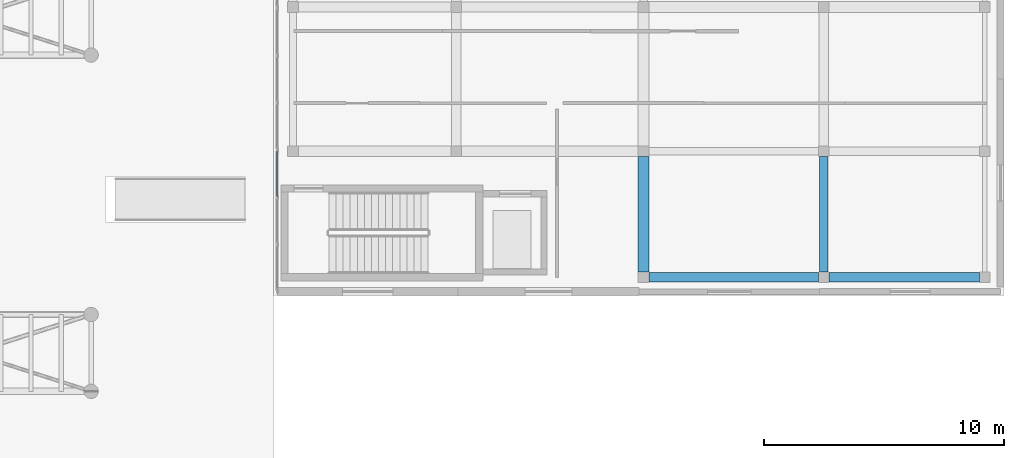
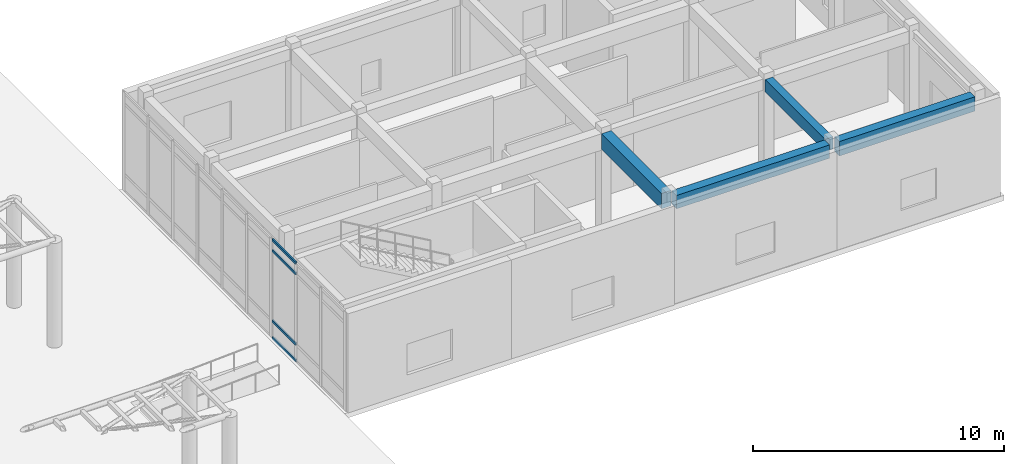
# One storey, part 74 of 121: 4 beams, 4 members, 1 element without a shape of its own.
"""IFC4 building model written with IfcOpenShell, lengths in metres."""

from ifc_helpers import new_model, si_unit, direction, frame, origin, origin_2d, place, context, subcontext, project, spatial, rectangle, hollow_rectangle, extrude, material, layer, layer_set, material_profile, profile_set, type_object, element, aggregate, save


model = new_model("IFC4")

# Units and contexts
model_context = context("Model", 3, precision=1e-05, world=origin(), true_north=direction((0.0, 1.0)))
body_context = subcontext(model_context, "Body", "Model", "MODEL_VIEW")
ifc_project = project(units=[si_unit("LENGTHUNIT", "METRE"), si_unit("AREAUNIT", "SQUARE_METRE"), si_unit("VOLUMEUNIT", "CUBIC_METRE"), si_unit("PLANEANGLEUNIT", "RADIAN"), si_unit("MASSUNIT", "GRAM", prefix="KILO")], contexts=[model_context])

# Site, building, storey
site_placement = place(None, origin())
site = spatial("IfcSite", under=ifc_project, at=site_placement, CompositionType="ELEMENT")
building_placement = place(site_placement, origin())
building = spatial("IfcBuilding", under=site, at=building_placement, Name="Valcora Specialist Clinic", CompositionType="ELEMENT")
storey_placement = place(building_placement, origin())
storey = spatial("IfcBuildingStorey", under=building, at=storey_placement, Name="L00", CompositionType="ELEMENT", Elevation=0.0)

# Beams
ifc_material_1 = material(Name="Concrete C40/50", Category="concrete")
ifc_material_profile_1 = material_profile(ifc_material_1, rectangle(XDim=0.35009765625, YDim=0.60009765625, at=origin_2d()), Name="RC-BM-350X600")
ifc_profile_set_1 = profile_set([ifc_material_profile_1], Name="Concrete C40/50")
beam_type_1 = type_object("IfcBeamType", Name="TY-BM-RC350X600", PredefinedType="BEAM", material=ifc_profile_set_1)
beam_1_placement = place(storey_placement, frame((154.5, 38.97509765625, 4.52490234375), z_axis=(0.0, 1.0, 0.0), x_axis=(-1.0, 0.0, 0.0)))
element("IfcBeam", 1, at=beam_1_placement, inside=storey, type_object=beam_type_1, Name="Beam BM-L00-0420", PredefinedType="BEAM", context=body_context, shape_type="SweptSolid", body=[
    extrude(rectangle(XDim=0.35009765625, YDim=0.60009765625, at=origin_2d()), origin(), (0.0, 0.0, 1.0), 4.7998046875),
])
ifc_material_profile_2 = material_profile(ifc_material_1, rectangle(XDim=0.39990234375, YDim=0.64990234375, at=origin_2d()), Name="RC-BM-400X650")
ifc_profile_set_2 = profile_set([ifc_material_profile_2], Name="Concrete C40/50")
beam_type_2 = type_object("IfcBeamType", Name="TY-BM-RC400X650", PredefinedType="BEAM", material=ifc_profile_set_2)
beam_2_placement = place(storey_placement, frame((147.22509765625, 38.75, 4.5), z_axis=(1.0, 0.0, 0.0), x_axis=(0.0, 1.0, 0.0)))
element("IfcBeam", 2, at=beam_2_placement, inside=storey, type_object=beam_type_2, Name="Beam BM-L00-0399", PredefinedType="BEAM", context=body_context, shape_type="SweptSolid", body=[
    extrude(rectangle(XDim=0.39990234375, YDim=0.64990234375, at=origin_2d()), origin(), (0.0, 0.0, 1.0), 7.0498046875),
])
ifc_material_profile_3 = material_profile(ifc_material_1, rectangle(XDim=0.39990234375, YDim=0.699951171875, at=origin_2d()), Name="RC-BM-400X700")
ifc_profile_set_3 = profile_set([ifc_material_profile_3], Name="Concrete C40/50")
beam_type_3 = type_object("IfcBeamType", Name="TY-BM-RC400X700", PredefinedType="BEAM", material=ifc_profile_set_3)
beam_3_placement = place(storey_placement, frame((154.72509765625, 38.75, 4.47509765625), z_axis=(1.0, 0.0, 0.0), x_axis=(0.0, 1.0, 0.0)))
element("IfcBeam", 3, at=beam_3_placement, inside=storey, type_object=beam_type_3, Name="Beam BM-L00-0400", PredefinedType="BEAM", context=body_context, shape_type="SweptSolid", body=[
    extrude(rectangle(XDim=0.39990234375, YDim=0.699951171875, at=origin_2d()), origin(), (0.0, 0.0, 1.0), 6.25),
])
ifc_material_profile_4 = material_profile(ifc_material_1, rectangle(XDim=0.449951171875, YDim=0.75, at=origin_2d()), Name="RC-BM-450X750")
ifc_profile_set_4 = profile_set([ifc_material_profile_4], Name="Concrete C40/50")
beam_type_4 = type_object("IfcBeamType", Name="TY-BM-RC450X750", PredefinedType="BEAM", material=ifc_profile_set_4)
beam_4_placement = place(storey_placement, frame((147.0, 38.97509765625, 4.449951171875), z_axis=(0.0, 1.0, 0.0), x_axis=(-1.0, 0.0, 0.0)))
element("IfcBeam", 4, at=beam_4_placement, inside=storey, type_object=beam_type_4, Name="Beam BM-L00-0417", PredefinedType="BEAM", context=body_context, shape_type="SweptSolid", body=[
    extrude(rectangle(XDim=0.449951171875, YDim=0.75, at=origin_2d()), origin(), (0.0, 0.0, 1.0), 4.7998046875),
])

# Curtain wall, members
ifc_material_2 = material(Name="Anodized Bronze Aluminium 6063-T6", Category="aluminium")
ifc_layer = layer(ifc_material_2, 0.175048828125)
ifc_layer_set = layer_set([ifc_layer], Name="Anodized Bronze Aluminium 6063-T6")
curtain_wall_type = type_object("IfcCurtainWallType", Name="TY-CW-HAL18", PredefinedType="NOTDEFINED", material=ifc_layer_set)
curtain_wall_placement = place(storey_placement, origin())
curtain_wall = element("IfcCurtainWall", 5, at=curtain_wall_placement, inside=storey, type_object=curtain_wall_type, Name="Curtain wall CW-L00-015", PredefinedType="NOTDEFINED")
ifc_material_profile_5 = material_profile(ifc_material_2, hollow_rectangle(XDim=0.06494140625, YDim=0.1298828125, WallThickness=0.00390625, at=origin_2d()), Name="AL-TRN-65X130")
ifc_profile_set_5 = profile_set([ifc_material_profile_5], Name="Anodized Bronze Aluminium 6063-T6")
member_type = type_object("IfcMemberType", Name="TY-CWT-65X130", PredefinedType="USERDEFINED", material=ifc_profile_set_5)
member_1_placement = place(storey_placement, frame((131.75, 42.11572265625, 0.032470703125), z_axis=(0.0, 1.0, 0.0), x_axis=(-1.0, 0.0, 0.0)))
member_1 = element("IfcMember", 6, at=member_1_placement, type_object=member_type, Name="CW-HAL-18 transom 3.1", ObjectType="TRANSOM", PredefinedType="USERDEFINED", context=body_context, shape_type="SweptSolid", body=[
    extrude(hollow_rectangle(XDim=0.06494140625, YDim=0.1298828125, WallThickness=0.00390625, at=origin_2d()), origin(), (0.0, 0.0, 1.0), 1.869384765625),
])
member_2_placement = place(storey_placement, frame((131.75, 42.11572265625, 0.85009765625), z_axis=(0.0, 1.0, 0.0), x_axis=(-1.0, 0.0, 0.0)))
member_2 = element("IfcMember", 7, at=member_2_placement, type_object=member_type, Name="CW-HAL-18 transom 3.2", ObjectType="TRANSOM", PredefinedType="USERDEFINED", context=body_context, shape_type="SweptSolid", body=[
    extrude(hollow_rectangle(XDim=0.06494140625, YDim=0.1298828125, WallThickness=0.00390625, at=origin_2d()), origin(), (0.0, 0.0, 1.0), 1.869384765625),
])
member_3_placement = place(storey_placement, frame((131.75, 42.11572265625, 4.27490234375), z_axis=(0.0, 1.0, 0.0), x_axis=(-1.0, 0.0, 0.0)))
member_3 = element("IfcMember", 8, at=member_3_placement, type_object=member_type, Name="CW-HAL-18 transom 3.3", ObjectType="TRANSOM", PredefinedType="USERDEFINED", context=body_context, shape_type="SweptSolid", body=[
    extrude(hollow_rectangle(XDim=0.06494140625, YDim=0.1298828125, WallThickness=0.00390625, at=origin_2d()), origin(), (0.0, 0.0, 1.0), 1.869384765625),
])
member_4_placement = place(storey_placement, frame((131.75, 42.11572265625, 4.79248046875), z_axis=(0.0, 1.0, 0.0), x_axis=(-1.0, 0.0, 0.0)))
member_4 = element("IfcMember", 9, at=member_4_placement, type_object=member_type, Name="CW-HAL-18 transom 3.4", ObjectType="TRANSOM", PredefinedType="USERDEFINED", context=body_context, shape_type="SweptSolid", body=[
    extrude(hollow_rectangle(XDim=0.06494140625, YDim=0.1298828125, WallThickness=0.00390625, at=origin_2d()), origin(), (0.0, 0.0, 1.0), 1.869384765625),
])
aggregate(curtain_wall, [member_1, member_2, member_3, member_4])

save(model, "model.ifc")
